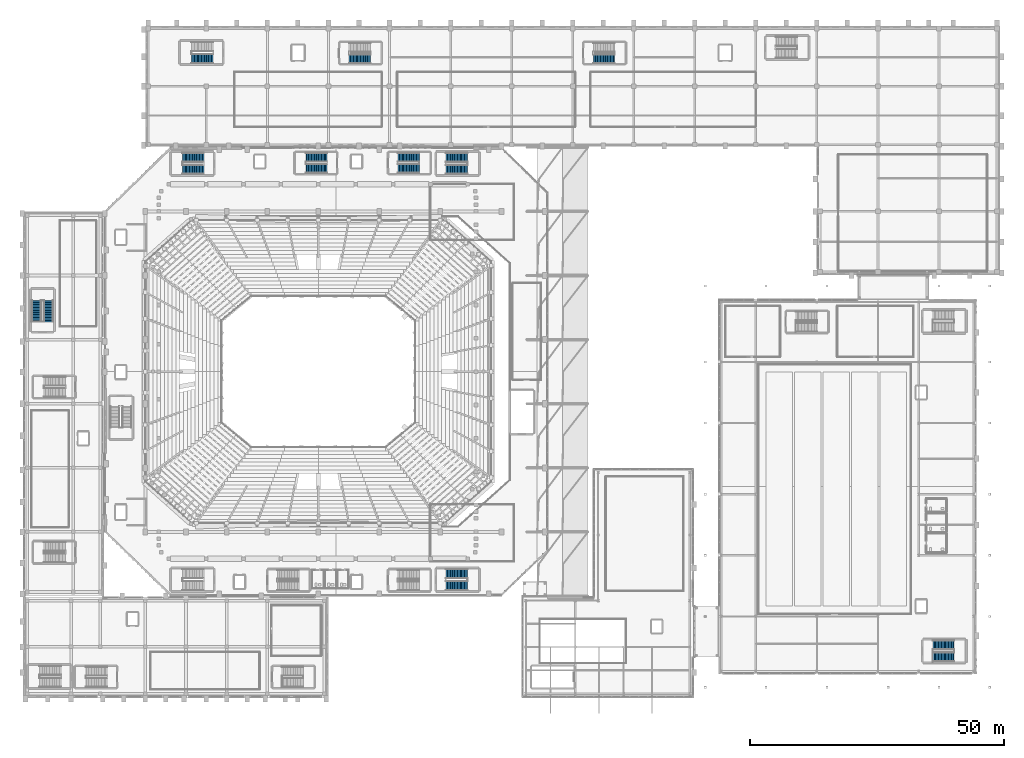
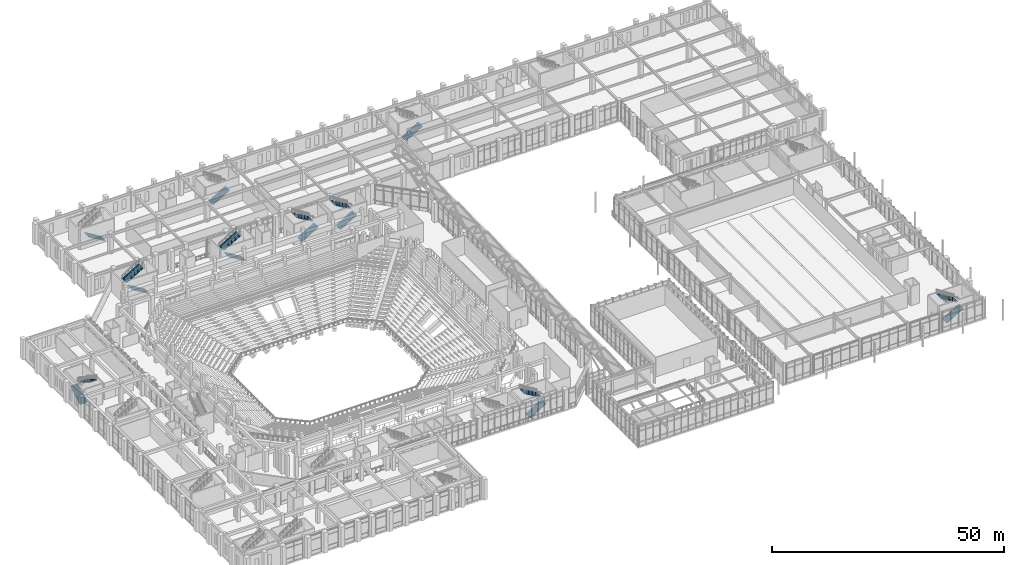
# One storey, part 141 of 159: 17 stair flights, 10 elements without a shape of their own.
"""IFC4 building model written with IfcOpenShell, lengths in metres."""

from ifc_helpers import new_model, si_unit, derived_unit, direction, frame, origin, place, context, subcontext, project, spatial, polyline, outline, extrude, material, type_object, element, aggregate, save


model = new_model("IFC4")

# Units and contexts
model_context = context("Model", 3, precision=1e-05, world=origin(), true_north=direction((0.0, 1.0)))
body_context = subcontext(model_context, "Body", "Model", "MODEL_VIEW")
ifc_project = project(units=[si_unit("LENGTHUNIT", "METRE"), si_unit("AREAUNIT", "SQUARE_METRE"), si_unit("VOLUMEUNIT", "CUBIC_METRE"), si_unit("PLANEANGLEUNIT", "RADIAN"), si_unit("MASSUNIT", "GRAM", prefix="KILO"), derived_unit("THERMALTRANSMITTANCEUNIT", [(si_unit("MASSUNIT", "GRAM", prefix="KILO"), 1), (si_unit("TIMEUNIT", "SECOND"), -3), (si_unit("THERMODYNAMICTEMPERATUREUNIT", "KELVIN"), -1)])], contexts=[model_context])

# Site, building, storey
site_placement = place(None, origin())
site = spatial("IfcSite", under=ifc_project, at=site_placement, CompositionType="ELEMENT")
building_placement = place(site_placement, origin())
building = spatial("IfcBuilding", under=site, at=building_placement, Name="Valcora Ridge Arena", CompositionType="ELEMENT")
storey_placement = place(building_placement, frame((0.0, 0.0, 6.0)))
storey = spatial("IfcBuildingStorey", under=building, at=storey_placement, Name="L01", CompositionType="ELEMENT", Elevation=6.0)

# Stair, stair flights
ifc_material = material(Name="Concrete C40/50", Category="concrete")
stair_type_1 = type_object("IfcStairType", Name="TY-STAIR-ES03-54", PredefinedType="HALF_TURN_STAIR", material=ifc_material)
stair_1_placement = place(storey_placement, origin())
stair_1 = element("IfcStair", 1, at=stair_1_placement, inside=storey, type_object=stair_type_1, Name="ES03-54 STR-ES-0010", PredefinedType="HALF_TURN_STAIR")
stair_flight_type_1 = type_object("IfcStairFlightType", Name="TY-FLIGHT-ES03-54", PredefinedType="STRAIGHT", material=ifc_material)
stair_flight_1_placement = place(storey_placement, frame((59.739990234375, 103.97998046875, 0.0), z_axis=(0.0, 0.0, 1.0), x_axis=(-1.0, 0.0, 0.0)))
stair_flight_1 = element("IfcStairFlight", 2, at=stair_flight_1_placement, type_object=stair_flight_type_1, Name="ES03-54 flight 1", NumberOfRisers=16, NumberOfTreads=15, PredefinedType="STRAIGHT", RiserHeight=0.16875, TreadLength=0.28, context=body_context, shape_type="SweptSolid", body=[
    extrude(outline(polyline([(0.0, 0.0), (0.0, 0.168701171875), (0.280029296875, 0.168701171875), (0.280029296875, 0.33740234375), (0.56005859375, 0.33740234375), (0.56005859375, 0.50634765625), (0.840087890625, 0.50634765625), (0.840087890625, 0.675048828125), (1.1201171875, 0.675048828125), (1.1201171875, 0.84375), (1.39990234375, 0.84375), (1.39990234375, 1.012451171875), (1.679931640625, 1.012451171875), (1.679931640625, 1.18115234375), (1.9599609375, 1.18115234375), (1.9599609375, 1.35009765625), (2.239990234375, 1.35009765625), (2.239990234375, 1.518798828125), (2.52001953125, 1.518798828125), (2.52001953125, 1.6875), (2.800048828125, 1.6875), (2.800048828125, 1.856201171875), (3.080078125, 1.856201171875), (3.080078125, 2.02490234375), (3.360107421875, 2.02490234375), (3.360107421875, 2.19384765625), (3.639892578125, 2.19384765625), (3.639892578125, 2.362548828125), (3.919921875, 2.362548828125), (3.919921875, 2.53125), (4.199951171875, 2.53125), (4.199951171875, 2.699951171875), (4.199951171875, 2.3212890625), (0.3486328125, 0.0), (0.0, 0.0)])), frame((0.0, 0.89990234375, 0.0), z_axis=(0.0, -1.0, 0.0), x_axis=(1.0, 0.0, 0.0)), (0.0, 0.0, 1.0), 1.800048828125),
])
stair_flight_2_placement = place(storey_placement, frame((55.5400390625, 106.219970703125, 2.699951171875), z_axis=(0.0, 0.0, 1.0), x_axis=(1.0, 0.0, 0.0)))
stair_flight_2 = element("IfcStairFlight", 3, at=stair_flight_2_placement, type_object=stair_flight_type_1, Name="ES03-54 flight 2", NumberOfRisers=16, NumberOfTreads=15, PredefinedType="STRAIGHT", RiserHeight=0.16875, TreadLength=0.28, context=body_context, shape_type="SweptSolid", body=[
    extrude(outline(polyline([(0.0, 0.0), (0.0, 0.168701171875), (0.280029296875, 0.168701171875), (0.280029296875, 0.33740234375), (0.56005859375, 0.33740234375), (0.56005859375, 0.50634765625), (0.840087890625, 0.50634765625), (0.840087890625, 0.675048828125), (1.1201171875, 0.675048828125), (1.1201171875, 0.84375), (1.39990234375, 0.84375), (1.39990234375, 1.012451171875), (1.679931640625, 1.012451171875), (1.679931640625, 1.18115234375), (1.9599609375, 1.18115234375), (1.9599609375, 1.35009765625), (2.239990234375, 1.35009765625), (2.239990234375, 1.518798828125), (2.52001953125, 1.518798828125), (2.52001953125, 1.6875), (2.800048828125, 1.6875), (2.800048828125, 1.856201171875), (3.080078125, 1.856201171875), (3.080078125, 2.02490234375), (3.360107421875, 2.02490234375), (3.360107421875, 2.19384765625), (3.639892578125, 2.19384765625), (3.639892578125, 2.362548828125), (3.919921875, 2.362548828125), (3.919921875, 2.53125), (4.199951171875, 2.53125), (4.199951171875, 2.699951171875), (4.199951171875, 2.3212890625), (0.3486328125, 0.0), (0.0, 0.0)])), frame((0.0, 0.89990234375, 0.0), z_axis=(0.0, -1.0, 0.0), x_axis=(1.0, 0.0, 0.0)), (0.0, 0.0, 1.0), 1.800048828125),
])
aggregate(stair_1, [stair_flight_1, stair_flight_2])

stair_type_2 = type_object("IfcStairType", Name="TY-STAIR-ES04-54", PredefinedType="HALF_TURN_STAIR", material=ifc_material)
stair_2_placement = place(storey_placement, origin())
stair_2 = element("IfcStair", 4, at=stair_2_placement, inside=storey, type_object=stair_type_2, Name="ES04-54 STR-ES-0014", PredefinedType="HALF_TURN_STAIR")
stair_flight_type_2 = type_object("IfcStairFlightType", Name="TY-FLIGHT-ES04-54", PredefinedType="STRAIGHT", material=ifc_material)
stair_flight_3_placement = place(storey_placement, frame((73.659912109375, 103.97998046875, 0.0), z_axis=(0.0, 0.0, 1.0), x_axis=(1.0, 0.0, 0.0)))
stair_flight_3 = element("IfcStairFlight", 5, at=stair_flight_3_placement, type_object=stair_flight_type_2, Name="ES04-54 flight 1", NumberOfRisers=16, NumberOfTreads=15, PredefinedType="STRAIGHT", RiserHeight=0.16875, TreadLength=0.28, context=body_context, shape_type="SweptSolid", body=[
    extrude(outline(polyline([(0.0, 0.0), (0.0, 0.168701171875), (0.280029296875, 0.168701171875), (0.280029296875, 0.33740234375), (0.56005859375, 0.33740234375), (0.56005859375, 0.50634765625), (0.840087890625, 0.50634765625), (0.840087890625, 0.675048828125), (1.1201171875, 0.675048828125), (1.1201171875, 0.84375), (1.39990234375, 0.84375), (1.39990234375, 1.012451171875), (1.679931640625, 1.012451171875), (1.679931640625, 1.18115234375), (1.9599609375, 1.18115234375), (1.9599609375, 1.35009765625), (2.239990234375, 1.35009765625), (2.239990234375, 1.518798828125), (2.52001953125, 1.518798828125), (2.52001953125, 1.6875), (2.800048828125, 1.6875), (2.800048828125, 1.856201171875), (3.080078125, 1.856201171875), (3.080078125, 2.02490234375), (3.360107421875, 2.02490234375), (3.360107421875, 2.19384765625), (3.639892578125, 2.19384765625), (3.639892578125, 2.362548828125), (3.919921875, 2.362548828125), (3.919921875, 2.53125), (4.199951171875, 2.53125), (4.199951171875, 2.699951171875), (4.199951171875, 2.3212890625), (0.3486328125, 0.0), (0.0, 0.0)])), frame((0.0, 0.89990234375, 0.0), z_axis=(0.0, -1.0, 0.0), x_axis=(1.0, 0.0, 0.0)), (0.0, 0.0, 1.0), 1.800048828125),
])
stair_flight_4_placement = place(storey_placement, frame((77.860107421875, 106.219970703125, 2.699951171875), z_axis=(0.0, 0.0, 1.0), x_axis=(-1.0, 0.0, 0.0)))
stair_flight_4 = element("IfcStairFlight", 6, at=stair_flight_4_placement, type_object=stair_flight_type_2, Name="ES04-54 flight 2", NumberOfRisers=16, NumberOfTreads=15, PredefinedType="STRAIGHT", RiserHeight=0.16875, TreadLength=0.28, context=body_context, shape_type="SweptSolid", body=[
    extrude(outline(polyline([(0.0, 0.0), (0.0, 0.168701171875), (0.280029296875, 0.168701171875), (0.280029296875, 0.33740234375), (0.56005859375, 0.33740234375), (0.56005859375, 0.50634765625), (0.840087890625, 0.50634765625), (0.840087890625, 0.675048828125), (1.1201171875, 0.675048828125), (1.1201171875, 0.84375), (1.39990234375, 0.84375), (1.39990234375, 1.012451171875), (1.679931640625, 1.012451171875), (1.679931640625, 1.18115234375), (1.9599609375, 1.18115234375), (1.9599609375, 1.35009765625), (2.239990234375, 1.35009765625), (2.239990234375, 1.518798828125), (2.52001953125, 1.518798828125), (2.52001953125, 1.6875), (2.800048828125, 1.6875), (2.800048828125, 1.856201171875), (3.080078125, 1.856201171875), (3.080078125, 2.02490234375), (3.360107421875, 2.02490234375), (3.360107421875, 2.19384765625), (3.639892578125, 2.19384765625), (3.639892578125, 2.362548828125), (3.919921875, 2.362548828125), (3.919921875, 2.53125), (4.199951171875, 2.53125), (4.199951171875, 2.699951171875), (4.199951171875, 2.3212890625), (0.3486328125, 0.0), (0.0, 0.0)])), frame((0.0, 0.89990234375, 0.0), z_axis=(0.0, -1.0, 0.0), x_axis=(1.0, 0.0, 0.0)), (0.0, 0.0, 1.0), 1.800048828125),
])
aggregate(stair_2, [stair_flight_3, stair_flight_4])

# Stair, stair flight
stair_type_3 = type_object("IfcStairType", Name="TY-STAIR-ES09-54", PredefinedType="HALF_TURN_STAIR", material=ifc_material)
stair_3_placement = place(storey_placement, origin())
stair_3 = element("IfcStair", 7, at=stair_3_placement, inside=storey, type_object=stair_type_3, Name="ES09-54 STR-ES-0031", PredefinedType="HALF_TURN_STAIR")
stair_flight_type_3 = type_object("IfcStairFlightType", Name="TY-FLIGHT-ES09-54", PredefinedType="STRAIGHT", material=ifc_material)
stair_flight_5_placement = place(storey_placement, frame((64.06005859375, 125.580078125, 0.0), z_axis=(0.0, 0.0, 1.0), x_axis=(1.0, 0.0, 0.0)))
stair_flight_5 = element("IfcStairFlight", 8, at=stair_flight_5_placement, type_object=stair_flight_type_3, Name="ES09-54 flight 1", NumberOfRisers=16, NumberOfTreads=15, PredefinedType="STRAIGHT", RiserHeight=0.16875, TreadLength=0.28, context=body_context, shape_type="SweptSolid", body=[
    extrude(outline(polyline([(0.0, 0.0), (0.0, 0.168701171875), (0.280029296875, 0.168701171875), (0.280029296875, 0.33740234375), (0.56005859375, 0.33740234375), (0.56005859375, 0.50634765625), (0.840087890625, 0.50634765625), (0.840087890625, 0.675048828125), (1.1201171875, 0.675048828125), (1.1201171875, 0.84375), (1.39990234375, 0.84375), (1.39990234375, 1.012451171875), (1.679931640625, 1.012451171875), (1.679931640625, 1.18115234375), (1.9599609375, 1.18115234375), (1.9599609375, 1.35009765625), (2.239990234375, 1.35009765625), (2.239990234375, 1.518798828125), (2.52001953125, 1.518798828125), (2.52001953125, 1.6875), (2.800048828125, 1.6875), (2.800048828125, 1.856201171875), (3.080078125, 1.856201171875), (3.080078125, 2.02490234375), (3.360107421875, 2.02490234375), (3.360107421875, 2.19384765625), (3.639892578125, 2.19384765625), (3.639892578125, 2.362548828125), (3.919921875, 2.362548828125), (3.919921875, 2.53125), (4.199951171875, 2.53125), (4.199951171875, 2.699951171875), (4.199951171875, 2.3212890625), (0.3486328125, 0.0), (0.0, 0.0)])), frame((0.0, 0.89990234375, 0.0), z_axis=(0.0, -1.0, 0.0), x_axis=(1.0, 0.0, 0.0)), (0.0, 0.0, 1.0), 1.800048828125),
])
aggregate(stair_3, [stair_flight_5])

stair_type_4 = type_object("IfcStairType", Name="TY-STAIR-ES10-54", PredefinedType="HALF_TURN_STAIR", material=ifc_material)
stair_4_placement = place(storey_placement, origin())
stair_4 = element("IfcStair", 9, at=stair_4_placement, inside=storey, type_object=stair_type_4, Name="ES10-54 STR-ES-0034", PredefinedType="HALF_TURN_STAIR")
stair_flight_type_4 = type_object("IfcStairFlightType", Name="TY-FLIGHT-ES10-54", PredefinedType="STRAIGHT", material=ifc_material)
stair_flight_6_placement = place(storey_placement, frame((112.06005859375, 125.580078125, 0.0), z_axis=(0.0, 0.0, 1.0), x_axis=(1.0, 0.0, 0.0)))
stair_flight_6 = element("IfcStairFlight", 10, at=stair_flight_6_placement, type_object=stair_flight_type_4, Name="ES10-54 flight 1", NumberOfRisers=16, NumberOfTreads=15, PredefinedType="STRAIGHT", RiserHeight=0.16875, TreadLength=0.28, context=body_context, shape_type="SweptSolid", body=[
    extrude(outline(polyline([(0.0, 0.0), (0.0, 0.168701171875), (0.280029296875, 0.168701171875), (0.280029296875, 0.33740234375), (0.56005859375, 0.33740234375), (0.56005859375, 0.50634765625), (0.840087890625, 0.50634765625), (0.840087890625, 0.675048828125), (1.1201171875, 0.675048828125), (1.1201171875, 0.84375), (1.39990234375, 0.84375), (1.39990234375, 1.012451171875), (1.679931640625, 1.012451171875), (1.679931640625, 1.18115234375), (1.9599609375, 1.18115234375), (1.9599609375, 1.35009765625), (2.239990234375, 1.35009765625), (2.239990234375, 1.518798828125), (2.52001953125, 1.518798828125), (2.52001953125, 1.6875), (2.800048828125, 1.6875), (2.800048828125, 1.856201171875), (3.080078125, 1.856201171875), (3.080078125, 2.02490234375), (3.360107421875, 2.02490234375), (3.360107421875, 2.19384765625), (3.639892578125, 2.19384765625), (3.639892578125, 2.362548828125), (3.919921875, 2.362548828125), (3.919921875, 2.53125), (4.199951171875, 2.53125), (4.199951171875, 2.699951171875), (4.199951171875, 2.3212890625), (0.3486328125, 0.0), (0.0, 0.0)])), frame((0.0, 0.89990234375, 0.0), z_axis=(0.0, -1.0, 0.0), x_axis=(1.0, 0.0, 0.0)), (0.0, 0.0, 1.0), 1.800048828125),
])
aggregate(stair_4, [stair_flight_6])

# Stair, stair flights
stair_type_5 = type_object("IfcStairType", Name="TY-STAIR-ST02-54", PredefinedType="HALF_TURN_STAIR", material=ifc_material)
stair_5_placement = place(storey_placement, origin())
stair_5 = element("IfcStair", 11, at=stair_5_placement, inside=storey, type_object=stair_type_5, Name="ST02-54 STR-CR-0009", PredefinedType="HALF_TURN_STAIR")
stair_flight_type_5 = type_object("IfcStairFlightType", Name="TY-FLIGHT-ST02-54", PredefinedType="STRAIGHT", material=ifc_material)
stair_flight_7_placement = place(storey_placement, frame((83.110107421875, 22.0048828125, 0.0), z_axis=(0.0, 0.0, 1.0), x_axis=(1.0, 0.0, 0.0)))
stair_flight_7 = element("IfcStairFlight", 12, at=stair_flight_7_placement, type_object=stair_flight_type_5, Name="ST02-54 flight 1", NumberOfRisers=16, NumberOfTreads=15, PredefinedType="STRAIGHT", RiserHeight=0.16875, TreadLength=0.28, context=body_context, shape_type="SweptSolid", body=[
    extrude(outline(polyline([(0.0, 0.0), (0.0, 0.168701171875), (0.280029296875, 0.168701171875), (0.280029296875, 0.33740234375), (0.56005859375, 0.33740234375), (0.56005859375, 0.50634765625), (0.840087890625, 0.50634765625), (0.840087890625, 0.675048828125), (1.1201171875, 0.675048828125), (1.1201171875, 0.84375), (1.39990234375, 0.84375), (1.39990234375, 1.012451171875), (1.679931640625, 1.012451171875), (1.679931640625, 1.18115234375), (1.9599609375, 1.18115234375), (1.9599609375, 1.35009765625), (2.239990234375, 1.35009765625), (2.239990234375, 1.518798828125), (2.52001953125, 1.518798828125), (2.52001953125, 1.6875), (2.800048828125, 1.6875), (2.800048828125, 1.856201171875), (3.080078125, 1.856201171875), (3.080078125, 2.02490234375), (3.360107421875, 2.02490234375), (3.360107421875, 2.19384765625), (3.639892578125, 2.19384765625), (3.639892578125, 2.362548828125), (3.919921875, 2.362548828125), (3.919921875, 2.53125), (4.199951171875, 2.53125), (4.199951171875, 2.699951171875), (4.199951171875, 2.3212890625), (0.3486328125, 0.0), (0.0, 0.0)])), frame((0.0, 0.925048828125, 0.0), z_axis=(0.0, -1.0, 0.0), x_axis=(1.0, 0.0, 0.0)), (0.0, 0.0, 1.0), 1.85009765625),
])
stair_flight_8_placement = place(storey_placement, frame((87.31005859375, 24.39501953125, 2.699951171875), z_axis=(0.0, 0.0, 1.0), x_axis=(-1.0, 0.0, 0.0)))
stair_flight_8 = element("IfcStairFlight", 13, at=stair_flight_8_placement, type_object=stair_flight_type_5, Name="ST02-54 flight 2", NumberOfRisers=16, NumberOfTreads=15, PredefinedType="STRAIGHT", RiserHeight=0.16875, TreadLength=0.28, context=body_context, shape_type="SweptSolid", body=[
    extrude(outline(polyline([(0.0, 0.0), (0.0, 0.168701171875), (0.280029296875, 0.168701171875), (0.280029296875, 0.33740234375), (0.56005859375, 0.33740234375), (0.56005859375, 0.50634765625), (0.840087890625, 0.50634765625), (0.840087890625, 0.675048828125), (1.1201171875, 0.675048828125), (1.1201171875, 0.84375), (1.39990234375, 0.84375), (1.39990234375, 1.012451171875), (1.679931640625, 1.012451171875), (1.679931640625, 1.18115234375), (1.9599609375, 1.18115234375), (1.9599609375, 1.35009765625), (2.239990234375, 1.35009765625), (2.239990234375, 1.518798828125), (2.52001953125, 1.518798828125), (2.52001953125, 1.6875), (2.800048828125, 1.6875), (2.800048828125, 1.856201171875), (3.080078125, 1.856201171875), (3.080078125, 2.02490234375), (3.360107421875, 2.02490234375), (3.360107421875, 2.19384765625), (3.639892578125, 2.19384765625), (3.639892578125, 2.362548828125), (3.919921875, 2.362548828125), (3.919921875, 2.53125), (4.199951171875, 2.53125), (4.199951171875, 2.699951171875), (4.199951171875, 2.3212890625), (0.3486328125, 0.0), (0.0, 0.0)])), frame((0.0, 0.925048828125, 0.0), z_axis=(0.0, -1.0, 0.0), x_axis=(1.0, 0.0, 0.0)), (0.0, 0.0, 1.0), 1.85009765625),
])
aggregate(stair_5, [stair_flight_7, stair_flight_8])

stair_type_6 = type_object("IfcStairType", Name="TY-STAIR-ST03-54", PredefinedType="HALF_TURN_STAIR", material=ifc_material)
stair_6_placement = place(storey_placement, origin())
stair_6 = element("IfcStair", 14, at=stair_6_placement, inside=storey, type_object=stair_type_6, Name="ST03-54 STR-CR-0014", PredefinedType="HALF_TURN_STAIR")
stair_flight_type_6 = type_object("IfcStairFlightType", Name="TY-FLIGHT-ST03-54", PredefinedType="STRAIGHT", material=ifc_material)
stair_flight_9_placement = place(storey_placement, frame((35.489990234375, 103.804931640625, 0.0), z_axis=(0.0, 0.0, 1.0), x_axis=(-1.0, 0.0, 0.0)))
stair_flight_9 = element("IfcStairFlight", 15, at=stair_flight_9_placement, type_object=stair_flight_type_6, Name="ST03-54 flight 1", NumberOfRisers=16, NumberOfTreads=15, PredefinedType="STRAIGHT", RiserHeight=0.16875, TreadLength=0.28, context=body_context, shape_type="SweptSolid", body=[
    extrude(outline(polyline([(0.0, 0.0), (0.0, 0.168701171875), (0.280029296875, 0.168701171875), (0.280029296875, 0.33740234375), (0.56005859375, 0.33740234375), (0.56005859375, 0.50634765625), (0.840087890625, 0.50634765625), (0.840087890625, 0.675048828125), (1.1201171875, 0.675048828125), (1.1201171875, 0.84375), (1.39990234375, 0.84375), (1.39990234375, 1.012451171875), (1.679931640625, 1.012451171875), (1.679931640625, 1.18115234375), (1.9599609375, 1.18115234375), (1.9599609375, 1.35009765625), (2.239990234375, 1.35009765625), (2.239990234375, 1.518798828125), (2.52001953125, 1.518798828125), (2.52001953125, 1.6875), (2.800048828125, 1.6875), (2.800048828125, 1.856201171875), (3.080078125, 1.856201171875), (3.080078125, 2.02490234375), (3.360107421875, 2.02490234375), (3.360107421875, 2.19384765625), (3.639892578125, 2.19384765625), (3.639892578125, 2.362548828125), (3.919921875, 2.362548828125), (3.919921875, 2.53125), (4.199951171875, 2.53125), (4.199951171875, 2.699951171875), (4.199951171875, 2.3212890625), (0.3486328125, 0.0), (0.0, 0.0)])), frame((0.0, 0.925048828125, 0.0), z_axis=(0.0, -1.0, 0.0), x_axis=(1.0, 0.0, 0.0)), (0.0, 0.0, 1.0), 1.85009765625),
])
stair_flight_10_placement = place(storey_placement, frame((31.2900390625, 106.195068359375, 2.699951171875), z_axis=(0.0, 0.0, 1.0), x_axis=(1.0, 0.0, 0.0)))
stair_flight_10 = element("IfcStairFlight", 16, at=stair_flight_10_placement, type_object=stair_flight_type_6, Name="ST03-54 flight 2", NumberOfRisers=16, NumberOfTreads=15, PredefinedType="STRAIGHT", RiserHeight=0.16875, TreadLength=0.28, context=body_context, shape_type="SweptSolid", body=[
    extrude(outline(polyline([(0.0, 0.0), (0.0, 0.168701171875), (0.280029296875, 0.168701171875), (0.280029296875, 0.33740234375), (0.56005859375, 0.33740234375), (0.56005859375, 0.50634765625), (0.840087890625, 0.50634765625), (0.840087890625, 0.675048828125), (1.1201171875, 0.675048828125), (1.1201171875, 0.84375), (1.39990234375, 0.84375), (1.39990234375, 1.012451171875), (1.679931640625, 1.012451171875), (1.679931640625, 1.18115234375), (1.9599609375, 1.18115234375), (1.9599609375, 1.35009765625), (2.239990234375, 1.35009765625), (2.239990234375, 1.518798828125), (2.52001953125, 1.518798828125), (2.52001953125, 1.6875), (2.800048828125, 1.6875), (2.800048828125, 1.856201171875), (3.080078125, 1.856201171875), (3.080078125, 2.02490234375), (3.360107421875, 2.02490234375), (3.360107421875, 2.19384765625), (3.639892578125, 2.19384765625), (3.639892578125, 2.362548828125), (3.919921875, 2.362548828125), (3.919921875, 2.53125), (4.199951171875, 2.53125), (4.199951171875, 2.699951171875), (4.199951171875, 2.3212890625), (0.3486328125, 0.0), (0.0, 0.0)])), frame((0.0, 0.925048828125, 0.0), z_axis=(0.0, -1.0, 0.0), x_axis=(1.0, 0.0, 0.0)), (0.0, 0.0, 1.0), 1.85009765625),
])
aggregate(stair_6, [stair_flight_9, stair_flight_10])

stair_type_7 = type_object("IfcStairType", Name="TY-STAIR-ST04-54", PredefinedType="HALF_TURN_STAIR", material=ifc_material)
stair_7_placement = place(storey_placement, origin())
stair_7 = element("IfcStair", 17, at=stair_7_placement, inside=storey, type_object=stair_type_7, Name="ST04-54 STR-CR-0020", PredefinedType="HALF_TURN_STAIR")
stair_flight_type_7 = type_object("IfcStairFlightType", Name="TY-FLIGHT-ST04-54", PredefinedType="STRAIGHT", material=ifc_material)
stair_flight_11_placement = place(storey_placement, frame((83.110107421875, 103.804931640625, 0.0), z_axis=(0.0, 0.0, 1.0), x_axis=(1.0, 0.0, 0.0)))
stair_flight_11 = element("IfcStairFlight", 18, at=stair_flight_11_placement, type_object=stair_flight_type_7, Name="ST04-54 flight 1", NumberOfRisers=16, NumberOfTreads=15, PredefinedType="STRAIGHT", RiserHeight=0.16875, TreadLength=0.28, context=body_context, shape_type="SweptSolid", body=[
    extrude(outline(polyline([(0.0, 0.0), (0.0, 0.168701171875), (0.280029296875, 0.168701171875), (0.280029296875, 0.33740234375), (0.56005859375, 0.33740234375), (0.56005859375, 0.50634765625), (0.840087890625, 0.50634765625), (0.840087890625, 0.675048828125), (1.1201171875, 0.675048828125), (1.1201171875, 0.84375), (1.39990234375, 0.84375), (1.39990234375, 1.012451171875), (1.679931640625, 1.012451171875), (1.679931640625, 1.18115234375), (1.9599609375, 1.18115234375), (1.9599609375, 1.35009765625), (2.239990234375, 1.35009765625), (2.239990234375, 1.518798828125), (2.52001953125, 1.518798828125), (2.52001953125, 1.6875), (2.800048828125, 1.6875), (2.800048828125, 1.856201171875), (3.080078125, 1.856201171875), (3.080078125, 2.02490234375), (3.360107421875, 2.02490234375), (3.360107421875, 2.19384765625), (3.639892578125, 2.19384765625), (3.639892578125, 2.362548828125), (3.919921875, 2.362548828125), (3.919921875, 2.53125), (4.199951171875, 2.53125), (4.199951171875, 2.699951171875), (4.199951171875, 2.3212890625), (0.3486328125, 0.0), (0.0, 0.0)])), frame((0.0, 0.925048828125, 0.0), z_axis=(0.0, -1.0, 0.0), x_axis=(1.0, 0.0, 0.0)), (0.0, 0.0, 1.0), 1.85009765625),
])
stair_flight_12_placement = place(storey_placement, frame((87.31005859375, 106.195068359375, 2.699951171875), z_axis=(0.0, 0.0, 1.0), x_axis=(-1.0, 0.0, 0.0)))
stair_flight_12 = element("IfcStairFlight", 19, at=stair_flight_12_placement, type_object=stair_flight_type_7, Name="ST04-54 flight 2", NumberOfRisers=16, NumberOfTreads=15, PredefinedType="STRAIGHT", RiserHeight=0.16875, TreadLength=0.28, context=body_context, shape_type="SweptSolid", body=[
    extrude(outline(polyline([(0.0, 0.0), (0.0, 0.168701171875), (0.280029296875, 0.168701171875), (0.280029296875, 0.33740234375), (0.56005859375, 0.33740234375), (0.56005859375, 0.50634765625), (0.840087890625, 0.50634765625), (0.840087890625, 0.675048828125), (1.1201171875, 0.675048828125), (1.1201171875, 0.84375), (1.39990234375, 0.84375), (1.39990234375, 1.012451171875), (1.679931640625, 1.012451171875), (1.679931640625, 1.18115234375), (1.9599609375, 1.18115234375), (1.9599609375, 1.35009765625), (2.239990234375, 1.35009765625), (2.239990234375, 1.518798828125), (2.52001953125, 1.518798828125), (2.52001953125, 1.6875), (2.800048828125, 1.6875), (2.800048828125, 1.856201171875), (3.080078125, 1.856201171875), (3.080078125, 2.02490234375), (3.360107421875, 2.02490234375), (3.360107421875, 2.19384765625), (3.639892578125, 2.19384765625), (3.639892578125, 2.362548828125), (3.919921875, 2.362548828125), (3.919921875, 2.53125), (4.199951171875, 2.53125), (4.199951171875, 2.699951171875), (4.199951171875, 2.3212890625), (0.3486328125, 0.0), (0.0, 0.0)])), frame((0.0, 0.925048828125, 0.0), z_axis=(0.0, -1.0, 0.0), x_axis=(1.0, 0.0, 0.0)), (0.0, 0.0, 1.0), 1.85009765625),
])
aggregate(stair_7, [stair_flight_11, stair_flight_12])

stair_type_8 = type_object("IfcStairType", Name="TY-STAIR-ST08-54", PredefinedType="HALF_TURN_STAIR", material=ifc_material)
stair_8_placement = place(storey_placement, origin())
stair_8 = element("IfcStair", 20, at=stair_8_placement, inside=storey, type_object=stair_type_8, Name="ST08-54 STR-CR-0036", PredefinedType="HALF_TURN_STAIR")
stair_flight_type_8 = type_object("IfcStairFlightType", Name="TY-FLIGHT-ST08-54", PredefinedType="STRAIGHT", material=ifc_material)
stair_flight_13_placement = place(storey_placement, frame((2.60498046875, 73.909912109375, 0.0), z_axis=(0.0, 0.0, 1.0), x_axis=(0.0, 1.0, 0.0)))
stair_flight_13 = element("IfcStairFlight", 21, at=stair_flight_13_placement, type_object=stair_flight_type_8, Name="ST08-54 flight 1", NumberOfRisers=16, NumberOfTreads=15, PredefinedType="STRAIGHT", RiserHeight=0.16875, TreadLength=0.28, context=body_context, shape_type="SweptSolid", body=[
    extrude(outline(polyline([(0.0, 0.0), (0.0, 0.168701171875), (0.280029296875, 0.168701171875), (0.280029296875, 0.33740234375), (0.56005859375, 0.33740234375), (0.56005859375, 0.50634765625), (0.840087890625, 0.50634765625), (0.840087890625, 0.675048828125), (1.1201171875, 0.675048828125), (1.1201171875, 0.84375), (1.39990234375, 0.84375), (1.39990234375, 1.012451171875), (1.679931640625, 1.012451171875), (1.679931640625, 1.18115234375), (1.9599609375, 1.18115234375), (1.9599609375, 1.35009765625), (2.239990234375, 1.35009765625), (2.239990234375, 1.518798828125), (2.52001953125, 1.518798828125), (2.52001953125, 1.6875), (2.800048828125, 1.6875), (2.800048828125, 1.856201171875), (3.080078125, 1.856201171875), (3.080078125, 2.02490234375), (3.360107421875, 2.02490234375), (3.360107421875, 2.19384765625), (3.639892578125, 2.19384765625), (3.639892578125, 2.362548828125), (3.919921875, 2.362548828125), (3.919921875, 2.53125), (4.199951171875, 2.53125), (4.199951171875, 2.699951171875), (4.199951171875, 2.3212890625), (0.3486328125, 0.0), (0.0, 0.0)])), frame((0.0, 0.925048828125, 0.0), z_axis=(0.0, -1.0, 0.0), x_axis=(1.0, 0.0, 0.0)), (0.0, 0.0, 1.0), 1.85009765625),
])
stair_flight_14_placement = place(storey_placement, frame((4.9951171875, 78.110107421875, 2.699951171875), z_axis=(0.0, 0.0, 1.0), x_axis=(0.0, -1.0, 0.0)))
stair_flight_14 = element("IfcStairFlight", 22, at=stair_flight_14_placement, type_object=stair_flight_type_8, Name="ST08-54 flight 2", NumberOfRisers=16, NumberOfTreads=15, PredefinedType="STRAIGHT", RiserHeight=0.16875, TreadLength=0.28, context=body_context, shape_type="SweptSolid", body=[
    extrude(outline(polyline([(0.0, 0.0), (0.0, 0.168701171875), (0.280029296875, 0.168701171875), (0.280029296875, 0.33740234375), (0.56005859375, 0.33740234375), (0.56005859375, 0.50634765625), (0.840087890625, 0.50634765625), (0.840087890625, 0.675048828125), (1.1201171875, 0.675048828125), (1.1201171875, 0.84375), (1.39990234375, 0.84375), (1.39990234375, 1.012451171875), (1.679931640625, 1.012451171875), (1.679931640625, 1.18115234375), (1.9599609375, 1.18115234375), (1.9599609375, 1.35009765625), (2.239990234375, 1.35009765625), (2.239990234375, 1.518798828125), (2.52001953125, 1.518798828125), (2.52001953125, 1.6875), (2.800048828125, 1.6875), (2.800048828125, 1.856201171875), (3.080078125, 1.856201171875), (3.080078125, 2.02490234375), (3.360107421875, 2.02490234375), (3.360107421875, 2.19384765625), (3.639892578125, 2.19384765625), (3.639892578125, 2.362548828125), (3.919921875, 2.362548828125), (3.919921875, 2.53125), (4.199951171875, 2.53125), (4.199951171875, 2.699951171875), (4.199951171875, 2.3212890625), (0.3486328125, 0.0), (0.0, 0.0)])), frame((0.0, 0.925048828125, 0.0), z_axis=(0.0, -1.0, 0.0), x_axis=(1.0, 0.0, 0.0)), (0.0, 0.0, 1.0), 1.85009765625),
])
aggregate(stair_8, [stair_flight_13, stair_flight_14])

# Stair, stair flight
stair_type_9 = type_object("IfcStairType", Name="TY-STAIR-ST09-54", PredefinedType="HALF_TURN_STAIR", material=ifc_material)
stair_9_placement = place(storey_placement, origin())
stair_9 = element("IfcStair", 23, at=stair_9_placement, inside=storey, type_object=stair_type_9, Name="ST09-54 STR-CR-0039", PredefinedType="HALF_TURN_STAIR")
stair_flight_type_9 = type_object("IfcStairFlightType", Name="TY-FLIGHT-ST09-54", PredefinedType="STRAIGHT", material=ifc_material)
stair_flight_15_placement = place(storey_placement, frame((37.2900390625, 125.60498046875, 0.0), z_axis=(0.0, 0.0, 1.0), x_axis=(-1.0, 0.0, 0.0)))
stair_flight_15 = element("IfcStairFlight", 24, at=stair_flight_15_placement, type_object=stair_flight_type_9, Name="ST09-54 flight 1", NumberOfRisers=16, NumberOfTreads=15, PredefinedType="STRAIGHT", RiserHeight=0.16875, TreadLength=0.28, context=body_context, shape_type="SweptSolid", body=[
    extrude(outline(polyline([(0.0, 0.0), (0.0, 0.168701171875), (0.280029296875, 0.168701171875), (0.280029296875, 0.33740234375), (0.56005859375, 0.33740234375), (0.56005859375, 0.50634765625), (0.840087890625, 0.50634765625), (0.840087890625, 0.675048828125), (1.1201171875, 0.675048828125), (1.1201171875, 0.84375), (1.39990234375, 0.84375), (1.39990234375, 1.012451171875), (1.679931640625, 1.012451171875), (1.679931640625, 1.18115234375), (1.9599609375, 1.18115234375), (1.9599609375, 1.35009765625), (2.239990234375, 1.35009765625), (2.239990234375, 1.518798828125), (2.52001953125, 1.518798828125), (2.52001953125, 1.6875), (2.800048828125, 1.6875), (2.800048828125, 1.856201171875), (3.080078125, 1.856201171875), (3.080078125, 2.02490234375), (3.360107421875, 2.02490234375), (3.360107421875, 2.19384765625), (3.639892578125, 2.19384765625), (3.639892578125, 2.362548828125), (3.919921875, 2.362548828125), (3.919921875, 2.53125), (4.199951171875, 2.53125), (4.199951171875, 2.699951171875), (4.199951171875, 2.3212890625), (0.3486328125, 0.0), (0.0, 0.0)])), frame((0.0, 0.925048828125, 0.0), z_axis=(0.0, -1.0, 0.0), x_axis=(1.0, 0.0, 0.0)), (0.0, 0.0, 1.0), 1.85009765625),
])
aggregate(stair_9, [stair_flight_15])

# Stair, stair flights
stair_type_10 = type_object("IfcStairType", Name="TY-STAIR-ST11-54", PredefinedType="HALF_TURN_STAIR", material=ifc_material)
stair_10_placement = place(storey_placement, origin())
stair_10 = element("IfcStair", 25, at=stair_10_placement, inside=storey, type_object=stair_type_10, Name="ST11-54 STR-CR-0046", PredefinedType="HALF_TURN_STAIR")
stair_flight_type_10 = type_object("IfcStairFlightType", Name="TY-FLIGHT-ST11-54", PredefinedType="STRAIGHT", material=ifc_material)
stair_flight_16_placement = place(storey_placement, frame((178.7900390625, 8.0048828125, 0.0), z_axis=(0.0, 0.0, 1.0), x_axis=(1.0, 0.0, 0.0)))
stair_flight_16 = element("IfcStairFlight", 26, at=stair_flight_16_placement, type_object=stair_flight_type_10, Name="ST11-54 flight 1", NumberOfRisers=16, NumberOfTreads=15, PredefinedType="STRAIGHT", RiserHeight=0.16875, TreadLength=0.28, context=body_context, shape_type="SweptSolid", body=[
    extrude(outline(polyline([(0.0, 0.0), (0.0, 0.168701171875), (0.280029296875, 0.168701171875), (0.280029296875, 0.33740234375), (0.56005859375, 0.33740234375), (0.56005859375, 0.50634765625), (0.840087890625, 0.50634765625), (0.840087890625, 0.675048828125), (1.1201171875, 0.675048828125), (1.1201171875, 0.84375), (1.39990234375, 0.84375), (1.39990234375, 1.012451171875), (1.679931640625, 1.012451171875), (1.679931640625, 1.18115234375), (1.9599609375, 1.18115234375), (1.9599609375, 1.35009765625), (2.239990234375, 1.35009765625), (2.239990234375, 1.518798828125), (2.52001953125, 1.518798828125), (2.52001953125, 1.6875), (2.800048828125, 1.6875), (2.800048828125, 1.856201171875), (3.080078125, 1.856201171875), (3.080078125, 2.02490234375), (3.360107421875, 2.02490234375), (3.360107421875, 2.19384765625), (3.639892578125, 2.19384765625), (3.639892578125, 2.362548828125), (3.919921875, 2.362548828125), (3.919921875, 2.53125), (4.199951171875, 2.53125), (4.199951171875, 2.699951171875), (4.199951171875, 2.3212890625), (0.3486328125, 0.0), (0.0, 0.0)])), frame((0.0, 0.925048828125, 0.0), z_axis=(0.0, -1.0, 0.0), x_axis=(1.0, 0.0, 0.0)), (0.0, 0.0, 1.0), 1.85009765625),
])
stair_flight_17_placement = place(storey_placement, frame((182.989990234375, 10.39501953125, 2.699951171875), z_axis=(0.0, 0.0, 1.0), x_axis=(-1.0, 0.0, 0.0)))
stair_flight_17 = element("IfcStairFlight", 27, at=stair_flight_17_placement, type_object=stair_flight_type_10, Name="ST11-54 flight 2", NumberOfRisers=16, NumberOfTreads=15, PredefinedType="STRAIGHT", RiserHeight=0.16875, TreadLength=0.28, context=body_context, shape_type="SweptSolid", body=[
    extrude(outline(polyline([(0.0, 0.0), (0.0, 0.168701171875), (0.280029296875, 0.168701171875), (0.280029296875, 0.33740234375), (0.56005859375, 0.33740234375), (0.56005859375, 0.50634765625), (0.840087890625, 0.50634765625), (0.840087890625, 0.675048828125), (1.1201171875, 0.675048828125), (1.1201171875, 0.84375), (1.39990234375, 0.84375), (1.39990234375, 1.012451171875), (1.679931640625, 1.012451171875), (1.679931640625, 1.18115234375), (1.9599609375, 1.18115234375), (1.9599609375, 1.35009765625), (2.239990234375, 1.35009765625), (2.239990234375, 1.518798828125), (2.52001953125, 1.518798828125), (2.52001953125, 1.6875), (2.800048828125, 1.6875), (2.800048828125, 1.856201171875), (3.080078125, 1.856201171875), (3.080078125, 2.02490234375), (3.360107421875, 2.02490234375), (3.360107421875, 2.19384765625), (3.639892578125, 2.19384765625), (3.639892578125, 2.362548828125), (3.919921875, 2.362548828125), (3.919921875, 2.53125), (4.199951171875, 2.53125), (4.199951171875, 2.699951171875), (4.199951171875, 2.3212890625), (0.3486328125, 0.0), (0.0, 0.0)])), frame((0.0, 0.925048828125, 0.0), z_axis=(0.0, -1.0, 0.0), x_axis=(1.0, 0.0, 0.0)), (0.0, 0.0, 1.0), 1.85009765625),
])
aggregate(stair_10, [stair_flight_16, stair_flight_17])

save(model, "model.ifc")
